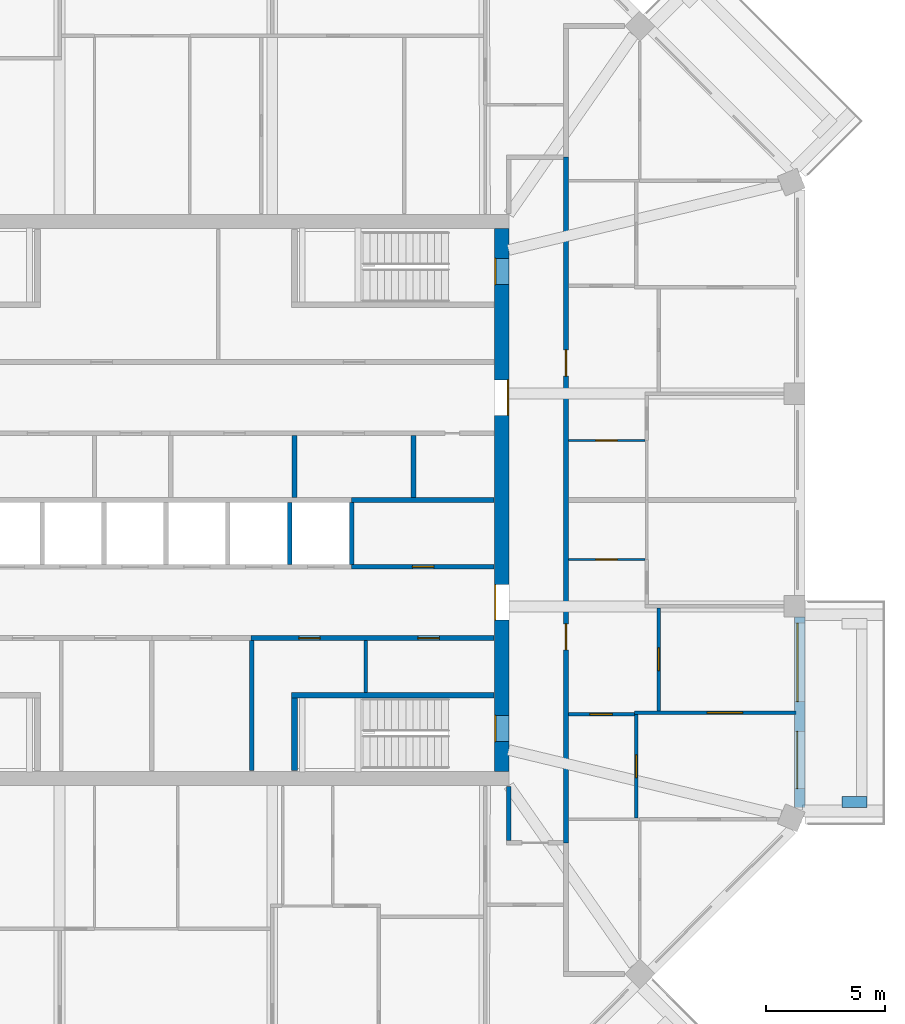
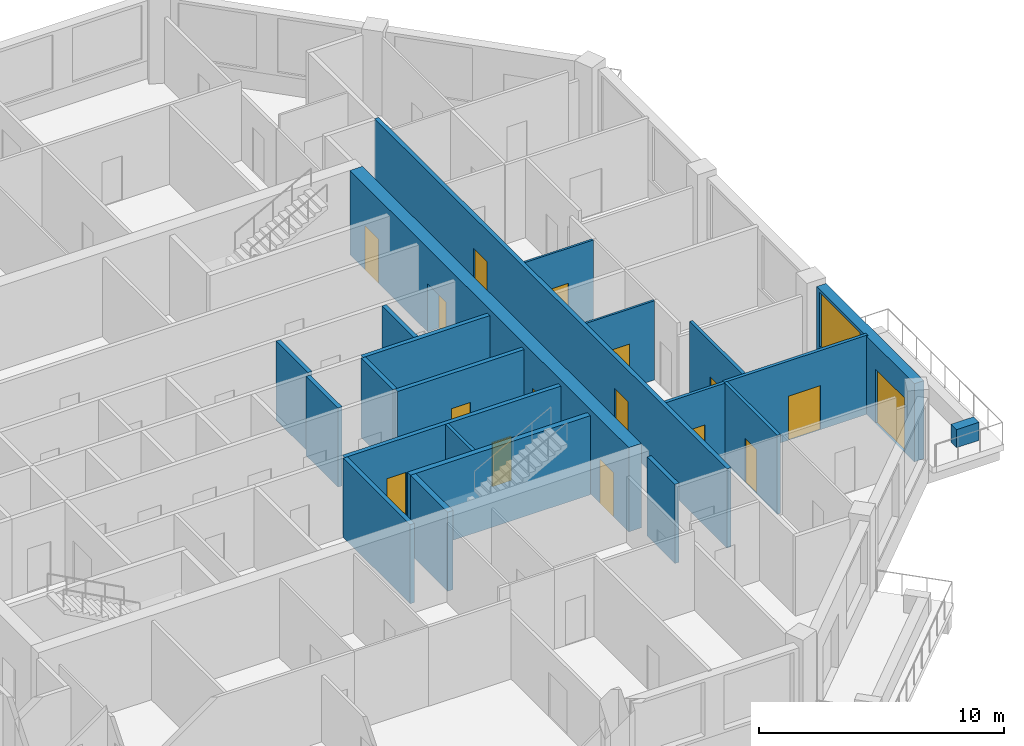
# One storey, part 6 of 11: 22 walls, 16 doors, 1 window, 17 openings.
"""IFC4 building model written with IfcOpenShell, lengths in metres."""

from ifc_helpers import new_model, si_unit, direction, frame, frame_2d, origin, place, context, subcontext, project, spatial, rectangle, extrude, material, layer, layer_set, type_object, element, fill, save


model = new_model("IFC4")

# Units and contexts
model_context = context("Model", 3, precision=1e-05, world=origin(), true_north=direction((0.0, 1.0)))
body_context = subcontext(model_context, "Body", "Model", "MODEL_VIEW")
ifc_project = project(units=[si_unit("LENGTHUNIT", "METRE"), si_unit("AREAUNIT", "SQUARE_METRE"), si_unit("VOLUMEUNIT", "CUBIC_METRE"), si_unit("PLANEANGLEUNIT", "RADIAN"), si_unit("MASSUNIT", "GRAM", prefix="KILO")], contexts=[model_context])

# Site, building, storey
site_placement = place(None, origin())
site = spatial("IfcSite", under=ifc_project, at=site_placement, CompositionType="ELEMENT")
building_placement = place(site_placement, origin())
building = spatial("IfcBuilding", under=site, at=building_placement, Name="Msitu Wima Residences", CompositionType="ELEMENT")
storey_placement = place(building_placement, frame((0.0, 0.0, 260.10009765625)))
storey = spatial("IfcBuildingStorey", under=building, at=storey_placement, Name="L60", CompositionType="ELEMENT", Elevation=260.10009765625)

# Wall
ifc_material_1 = material(Name="Facing brick")
ifc_layer_1 = layer(ifc_material_1, 0.06494140625, Name="Facing brick")
ifc_material_2 = material(Name="Concrete C40/50", Category="concrete")
ifc_layer_2 = layer(ifc_material_2, 0.156005859375, Name="Concrete C40/50")
ifc_material_3 = material(Name="Waterproofing membrane")
ifc_layer_3 = layer(ifc_material_3, 0.00390625, Name="Waterproofing membrane")
ifc_material_4 = material(Name="Planting soil and planting")
ifc_layer_4 = layer(ifc_material_4, 0.22509765625, Name="Planting soil and planting")
ifc_layer_set_1 = layer_set([ifc_layer_1, ifc_layer_2, ifc_layer_3, ifc_layer_4], Name="Concrete C40/50")
wall_type_1 = type_object("IfcWallType", Name="Balcony planter PLANTER PL450", PredefinedType="USERDEFINED", material=ifc_layer_set_1)
wall_1_placement = place(storey_placement, frame((28.39990234375, -12.680908203125, 0.0), z_axis=(0.0, 0.0, 1.0), x_axis=(1.0, 0.0, 0.0)))
element("IfcWall", 1, at=wall_1_placement, inside=storey, type_object=wall_type_1, Name="Balcony planter E0 L60", ObjectType="PLANTER", PredefinedType="USERDEFINED", context=body_context, shape_type="SweptSolid", body=[
    extrude(rectangle(XDim=1.050048828125, YDim=0.449951171875, at=frame_2d((0.52490234375, 0.0))), origin(), (0.0, 0.0, 1.0), 0.89990234375),
])

# Wall, openings, door, window
ifc_material_5 = material(Name="Brick (red buff mix)", Category="masonry")
ifc_layer_5 = layer(ifc_material_5, 0.449951171875)
ifc_layer_set_2 = layer_set([ifc_layer_5], Name="Brick (red buff mix)")
wall_type_2 = type_object("IfcWallType", Name="Brick infill wall BW450", PredefinedType="SOLIDWALL", material=ifc_layer_set_2)
wall_2_placement = place(storey_placement, frame((26.625, -12.918701171875, 0.0), z_axis=(0.0, 0.0, 1.0), x_axis=(0.0, 1.0, 0.0)))
wall_2 = element("IfcWall", 2, at=wall_2_placement, inside=storey, type_object=wall_type_2, Name="Brick infill wall L60 E0", PredefinedType="SOLIDWALL", context=body_context, shape_type="SweptSolid", body=[
    extrude(rectangle(XDim=8.0, YDim=0.449951171875, at=frame_2d((4.0, 0.0))), origin(), (0.0, 0.0, 1.0), 3.89990234375),
])
opening_1_placement = place(wall_2_placement, frame((0.800048828125, 0.0, 0.0)))
opening_1 = element("IfcOpeningElement", 3, at=opening_1_placement, cuts=wall_2, Name="Opening D60-62.001", PredefinedType="OPENING", context=body_context, shape_type="SweptSolid", body=[
    extrude(rectangle(XDim=2.39990234375, YDim=2.699951171875, at=frame_2d((1.199951171875, 1.35009765625))), frame((0.0, 0.23486328125, 0.0), z_axis=(0.0, -1.0, 0.0), x_axis=(1.0, 0.0, 0.0)), (0.0, 0.0, 1.0), 0.469970703125),
])
opening_2_placement = place(wall_2_placement, frame((4.4501953125, 0.0, 1.050048828125)))
opening_2 = element("IfcOpeningElement", 4, at=opening_2_placement, cuts=wall_2, Name="Opening W60-62.001", PredefinedType="OPENING", context=body_context, shape_type="SweptSolid", body=[
    extrude(rectangle(XDim=3.300048828125, YDim=2.699951171875, at=frame_2d((1.64990234375, 1.35009765625))), frame((0.0, 0.23486328125, 0.0), z_axis=(0.0, -1.0, 0.0), x_axis=(1.0, 0.0, 0.0)), (0.0, 0.0, 1.0), 0.469970703125),
])
ifc_material_6 = material(Name="Anodised aluminium, bronze finish, clear low-emissivity double glazing", Category="aluminium")
door_type_1 = type_object("IfcDoorType", Name="Balcony door D2400x2700", OperationType="SLIDING_TO_LEFT", PredefinedType="DOOR", material=ifc_material_6)
door_1_placement = place(opening_1_placement, origin())
door_1 = element("IfcDoor", 5, at=door_1_placement, inside=storey, type_object=door_type_1, Name="Balcony door L60 E0", OperationType="SINGLE_SWING_LEFT", OverallHeight=2.699951171875, OverallWidth=2.39990234375, PredefinedType="DOOR", context=body_context, shape_type="SweptSolid", body=[
    extrude(rectangle(XDim=2.39990234375, YDim=2.699951171875, at=frame_2d((1.199951171875, 1.35009765625))), frame((0.0, 0.1298828125, 0.0), z_axis=(0.0, -1.0, 0.0), x_axis=(1.0, 0.0, 0.0)), (0.0, 0.0, 1.0), 0.050048828125),
])
fill(opening_1, door_1)
window_type = type_object("IfcWindowType", Name="Window W3300x2700", PartitioningType="DOUBLE_PANEL_VERTICAL", PredefinedType="WINDOW", material=ifc_material_6)
window_placement = place(opening_2_placement, origin())
window = element("IfcWindow", 6, at=window_placement, inside=storey, type_object=window_type, Name="Window L60 E0.2", OverallHeight=2.699951171875, OverallWidth=3.300048828125, PartitioningType="SINGLE_PANEL", PredefinedType="WINDOW", context=body_context, shape_type="SweptSolid", body=[
    extrude(rectangle(XDim=3.300048828125, YDim=2.699951171875, at=frame_2d((1.64990234375, 1.35009765625))), frame((0.0, 0.135009765625, 0.0), z_axis=(0.0, -1.0, 0.0), x_axis=(1.0, 0.0, 0.0)), (0.0, 0.0, 1.0), 0.06005859375),
])
fill(opening_2, window)

# Wall, openings, doors
ifc_material_7 = material(Name="Concrete C50/60", Category="concrete")
ifc_layer_6 = layer(ifc_material_7, 0.60009765625)
ifc_layer_set_3 = layer_set([ifc_layer_6], Name="Concrete C50/60")
wall_type_3 = type_object("IfcWallType", Name="Core wall CW600 C50/60", PredefinedType="SHEAR", material=ifc_layer_set_3)
wall_3_placement = place(storey_placement, frame((14.10009765625, -11.39990234375, 0.0), z_axis=(0.0, 0.0, 1.0), x_axis=(0.0, 1.0, 0.0)))
wall_3 = element("IfcWall", 7, at=wall_3_placement, inside=storey, type_object=wall_type_3, Name="Core wall", PredefinedType="SHEAR", context=body_context, shape_type="SweptSolid", body=[
    extrude(rectangle(XDim=22.7998046875, YDim=0.60009765625, at=frame_2d((11.39990234375, 0.0))), origin(), (0.0, 0.0, 1.0), 4.199951171875),
])
opening_3_placement = place(wall_3_placement, frame((20.449951171875, 0.0, 0.0)))
opening_3 = element("IfcOpeningElement", 8, at=opening_3_placement, cuts=wall_3, Name="Opening D60-62.089", PredefinedType="OPENING", context=body_context, shape_type="SweptSolid", body=[
    extrude(rectangle(XDim=1.10009765625, YDim=2.199951171875, at=frame_2d((0.550048828125, 1.10009765625))), frame((0.0, 0.31005859375, 0.0), z_axis=(0.0, -1.0, 0.0), x_axis=(1.0, 0.0, 0.0)), (0.0, 0.0, 1.0), 0.6201171875),
])
opening_4_placement = place(wall_3_placement, frame((1.25, 0.0, 0.0)))
opening_4 = element("IfcOpeningElement", 9, at=opening_4_placement, cuts=wall_3, Name="Opening D60-62.090", PredefinedType="OPENING", context=body_context, shape_type="SweptSolid", body=[
    extrude(rectangle(XDim=1.10009765625, YDim=2.199951171875, at=frame_2d((0.550048828125, 1.10009765625))), frame((0.0, 0.31005859375, 0.0), z_axis=(0.0, -1.0, 0.0), x_axis=(1.0, 0.0, 0.0)), (0.0, 0.0, 1.0), 0.6201171875),
])
opening_5_placement = place(wall_3_placement, frame((14.949951171875, 0.0, 0.0)))
opening_5 = element("IfcOpeningElement", 10, at=opening_5_placement, cuts=wall_3, Name="Opening D60-62.077", PredefinedType="OPENING", context=body_context, shape_type="SweptSolid", body=[
    extrude(rectangle(XDim=1.5, YDim=2.39990234375, at=frame_2d((0.75, 1.199951171875))), frame((0.0, 0.31005859375, 0.0), z_axis=(0.0, -1.0, 0.0), x_axis=(1.0, 0.0, 0.0)), (0.0, 0.0, 1.0), 0.6201171875),
])
opening_6_placement = place(wall_3_placement, frame((6.35009765625, 0.0, 0.0)))
opening_6 = element("IfcOpeningElement", 11, at=opening_6_placement, cuts=wall_3, Name="Opening D60-62.078", PredefinedType="OPENING", context=body_context, shape_type="SweptSolid", body=[
    extrude(rectangle(XDim=1.5, YDim=2.39990234375, at=frame_2d((0.75, 1.199951171875))), frame((0.0, 0.31005859375, 0.0), z_axis=(0.0, -1.0, 0.0), x_axis=(1.0, 0.0, 0.0)), (0.0, 0.0, 1.0), 0.6201171875),
])
ifc_material_8 = material(Name="Steel framed glazed door, fire resisting", Category="steel")
door_type_2 = type_object("IfcDoorType", Name="Lobby door D07 1500x2400", OperationType="DOUBLE_DOOR_SINGLE_SWING", PredefinedType="DOOR", material=ifc_material_8)
door_2_placement = place(opening_5_placement, origin())
door_2 = element("IfcDoor", 12, at=door_2_placement, inside=storey, type_object=door_type_2, Name="Lobby door", OperationType="DOUBLE_DOOR_SINGLE_SWING", OverallHeight=2.39990234375, OverallWidth=1.5, PredefinedType="DOOR", context=body_context, shape_type="SweptSolid", body=[
    extrude(rectangle(XDim=1.5, YDim=2.39990234375, at=frame_2d((0.75, 1.199951171875))), frame((0.0, -0.2451171875, 0.0), z_axis=(0.0, -1.0, 0.0), x_axis=(1.0, 0.0, 0.0)), (0.0, 0.0, 1.0), 0.050048828125),
])
fill(opening_5, door_2)
door_3_placement = place(opening_6_placement, origin())
door_3 = element("IfcDoor", 13, at=door_3_placement, inside=storey, type_object=door_type_2, Name="Lobby door", OperationType="DOUBLE_DOOR_SINGLE_SWING", OverallHeight=2.39990234375, OverallWidth=1.5, PredefinedType="DOOR", context=body_context, shape_type="SweptSolid", body=[
    extrude(rectangle(XDim=1.5, YDim=2.39990234375, at=frame_2d((0.75, 1.199951171875))), frame((0.0, 0.294921875, 0.0), z_axis=(0.0, -1.0, 0.0), x_axis=(1.0, 0.0, 0.0)), (0.0, 0.0, 1.0), 0.050048828125),
])
fill(opening_6, door_3)
ifc_material_9 = material(Name="Steel door, fire resisting, panic bar", Category="steel")
door_type_3 = type_object("IfcDoorType", Name="Stair door D06 1100x2200", OperationType="SINGLE_SWING_LEFT", PredefinedType="DOOR", material=ifc_material_9)
door_4_placement = place(opening_3_placement, origin())
door_4 = element("IfcDoor", 14, at=door_4_placement, inside=storey, type_object=door_type_3, Name="Stair door", OperationType="SINGLE_SWING_LEFT", OverallHeight=2.199951171875, OverallWidth=1.10009765625, PredefinedType="DOOR", context=body_context, shape_type="SweptSolid", body=[
    extrude(rectangle(XDim=1.10009765625, YDim=2.199951171875, at=frame_2d((0.550048828125, 1.10009765625))), frame((0.0, 0.294921875, 0.0), z_axis=(0.0, -1.0, 0.0), x_axis=(1.0, 0.0, 0.0)), (0.0, 0.0, 1.0), 0.050048828125),
])
fill(opening_3, door_4)
door_5_placement = place(opening_4_placement, origin())
door_5 = element("IfcDoor", 15, at=door_5_placement, inside=storey, type_object=door_type_3, Name="Stair door", OperationType="SINGLE_SWING_RIGHT", OverallHeight=2.199951171875, OverallWidth=1.10009765625, PredefinedType="DOOR", context=body_context, shape_type="SweptSolid", body=[
    extrude(rectangle(XDim=1.10009765625, YDim=2.199951171875, at=frame_2d((0.550048828125, 1.10009765625))), frame((0.0, 0.294921875, 0.0), z_axis=(0.0, -1.0, 0.0), x_axis=(1.0, 0.0, 0.0)), (0.0, 0.0, 1.0), 0.050048828125),
])
fill(opening_4, door_5)

ifc_material_10 = material(Name="Plaster")
ifc_layer_7 = layer(ifc_material_10, 0.011962890625, Name="Plaster")
ifc_material_11 = material(Name="Concrete blockwork", Category="masonry")
ifc_layer_8 = layer(ifc_material_11, 0.176025390625, Name="Concrete blockwork")
ifc_layer_9 = layer(ifc_material_10, 0.011962890625, Name="Plaster")
ifc_layer_set_4 = layer_set([ifc_layer_7, ifc_layer_8, ifc_layer_9], Name="Concrete blockwork")
wall_type_4 = type_object("IfcWallType", Name="Corridor wall FW200", PredefinedType="PARTITIONING", material=ifc_layer_set_4)
wall_4_placement = place(storey_placement, frame((3.580078125, -5.800048828125, 0.0), z_axis=(0.0, 0.0, 1.0), x_axis=(1.0, 0.0, 0.0)))
wall_4 = element("IfcWall", 16, at=wall_4_placement, inside=storey, type_object=wall_type_4, Name="Corridor wall", PredefinedType="PARTITIONING", context=body_context, shape_type="SweptSolid", body=[
    extrude(rectangle(XDim=10.18994140625, YDim=0.199951171875, at=frame_2d((5.094970703125, 0.0))), origin(), (0.0, 0.0, 1.0), 3.949951171875),
])
opening_7_placement = place(wall_4_placement, frame((2.0, 0.0, 0.0)))
opening_7 = element("IfcOpeningElement", 17, at=opening_7_placement, cuts=wall_4, Name="Opening D60-62.075", PredefinedType="OPENING", context=body_context, shape_type="SweptSolid", body=[
    extrude(rectangle(XDim=0.89990234375, YDim=2.199951171875, at=frame_2d((0.449951171875, 1.10009765625))), frame((0.0, 0.10986328125, 0.0), z_axis=(0.0, -1.0, 0.0), x_axis=(1.0, 0.0, 0.0)), (0.0, 0.0, 1.0), 0.219970703125),
])
opening_8_placement = place(wall_4_placement, frame((7.0, 0.0, 0.0)))
opening_8 = element("IfcOpeningElement", 18, at=opening_8_placement, cuts=wall_4, Name="Opening D60-62.076", PredefinedType="OPENING", context=body_context, shape_type="SweptSolid", body=[
    extrude(rectangle(XDim=0.89990234375, YDim=2.199951171875, at=frame_2d((0.449951171875, 1.10009765625))), frame((0.0, 0.10986328125, 0.0), z_axis=(0.0, -1.0, 0.0), x_axis=(1.0, 0.0, 0.0)), (0.0, 0.0, 1.0), 0.219970703125),
])
ifc_material_12 = material(Name="Timber flush door", Category="wood")
door_type_4 = type_object("IfcDoorType", Name="Service door D05 900x2200", OperationType="SINGLE_SWING_LEFT", PredefinedType="DOOR", material=ifc_material_12)
door_6_placement = place(opening_7_placement, origin())
door_6 = element("IfcDoor", 19, at=door_6_placement, inside=storey, type_object=door_type_4, Name="Service door", OperationType="SINGLE_SWING_LEFT", OverallHeight=2.199951171875, OverallWidth=0.89990234375, PredefinedType="DOOR", context=body_context, shape_type="SweptSolid", body=[
    extrude(rectangle(XDim=0.89990234375, YDim=2.199951171875, at=frame_2d((0.449951171875, 1.10009765625))), frame((0.0, 0.02490234375, 0.0), z_axis=(0.0, -1.0, 0.0), x_axis=(1.0, 0.0, 0.0)), (0.0, 0.0, 1.0), 0.050048828125),
])
fill(opening_7, door_6)
door_7_placement = place(opening_8_placement, origin())
door_7 = element("IfcDoor", 20, at=door_7_placement, inside=storey, type_object=door_type_4, Name="Service door", OperationType="SINGLE_SWING_RIGHT", OverallHeight=2.199951171875, OverallWidth=0.89990234375, PredefinedType="DOOR", context=body_context, shape_type="SweptSolid", body=[
    extrude(rectangle(XDim=0.89990234375, YDim=2.199951171875, at=frame_2d((0.449951171875, 1.10009765625))), frame((0.0, 0.02490234375, 0.0), z_axis=(0.0, -1.0, 0.0), x_axis=(1.0, 0.0, 0.0)), (0.0, 0.0, 1.0), 0.050048828125),
])
fill(opening_8, door_7)

# Wall
wall_5_placement = place(storey_placement, frame((14.39990234375, -14.300048828125, 0.0), z_axis=(0.0, 0.0, 1.0), x_axis=(0.0, 1.0, 0.0)))
element("IfcWall", 21, at=wall_5_placement, inside=storey, type_object=wall_type_4, Name="Corridor wall", PredefinedType="PARTITIONING", context=body_context, shape_type="SweptSolid", body=[
    extrude(rectangle(XDim=2.27001953125, YDim=0.199951171875, at=frame_2d((1.135009765625, 0.0))), origin(), (0.0, 0.0, 1.0), 3.949951171875),
])

# Wall, openings, doors
wall_6_placement = place(storey_placement, frame((16.800048828125, -14.39990234375, 0.0), z_axis=(0.0, 0.0, 1.0), x_axis=(0.0, 1.0, 0.0)))
wall_6 = element("IfcWall", 22, at=wall_6_placement, inside=storey, type_object=wall_type_4, Name="Corridor wall", PredefinedType="PARTITIONING", context=body_context, shape_type="SweptSolid", body=[
    extrude(rectangle(XDim=28.7998046875, YDim=0.199951171875, at=frame_2d((14.39990234375, 0.0))), origin(), (0.0, 0.0, 1.0), 3.949951171875),
])
opening_9_placement = place(wall_6_placement, frame((8.10009765625, 0.0, 0.0)))
opening_9 = element("IfcOpeningElement", 23, at=opening_9_placement, cuts=wall_6, Name="Opening D60-62.008", PredefinedType="OPENING", context=body_context, shape_type="SweptSolid", body=[
    extrude(rectangle(XDim=1.10009765625, YDim=2.39990234375, at=frame_2d((0.550048828125, 1.199951171875))), frame((0.0, 0.10986328125, 0.0), z_axis=(0.0, -1.0, 0.0), x_axis=(1.0, 0.0, 0.0)), (0.0, 0.0, 1.0), 0.219970703125),
])
opening_10_placement = place(wall_6_placement, frame((19.60009765625, 0.0, 0.0)))
opening_10 = element("IfcOpeningElement", 24, at=opening_10_placement, cuts=wall_6, Name="Opening D60-62.017", PredefinedType="OPENING", context=body_context, shape_type="SweptSolid", body=[
    extrude(rectangle(XDim=1.10009765625, YDim=2.39990234375, at=frame_2d((0.550048828125, 1.199951171875))), frame((0.0, 0.10986328125, 0.0), z_axis=(0.0, -1.0, 0.0), x_axis=(1.0, 0.0, 0.0)), (0.0, 0.0, 1.0), 0.219970703125),
])
ifc_material_13 = material(Name="Timber flush door, fire resisting, self-closing", Category="wood")
door_type_5 = type_object("IfcDoorType", Name="Flat entrance door D01 1100x2400", OperationType="SINGLE_SWING_LEFT", PredefinedType="DOOR", material=ifc_material_13)
door_8_placement = place(opening_9_placement, origin())
door_8 = element("IfcDoor", 25, at=door_8_placement, inside=storey, type_object=door_type_5, Name="Flat entrance door", OperationType="SINGLE_SWING_RIGHT", OverallHeight=2.39990234375, OverallWidth=1.10009765625, PredefinedType="DOOR", context=body_context, shape_type="SweptSolid", body=[
    extrude(rectangle(XDim=1.10009765625, YDim=2.39990234375, at=frame_2d((0.550048828125, 1.199951171875))), frame((0.0, 0.02490234375, 0.0), z_axis=(0.0, -1.0, 0.0), x_axis=(1.0, 0.0, 0.0)), (0.0, 0.0, 1.0), 0.050048828125),
])
fill(opening_9, door_8)
door_9_placement = place(opening_10_placement, origin())
door_9 = element("IfcDoor", 26, at=door_9_placement, inside=storey, type_object=door_type_5, Name="Flat entrance door", OperationType="SINGLE_SWING_LEFT", OverallHeight=2.39990234375, OverallWidth=1.10009765625, PredefinedType="DOOR", context=body_context, shape_type="SweptSolid", body=[
    extrude(rectangle(XDim=1.10009765625, YDim=2.39990234375, at=frame_2d((0.550048828125, 1.199951171875))), frame((0.0, 0.02490234375, 0.0), z_axis=(0.0, -1.0, 0.0), x_axis=(1.0, 0.0, 0.0)), (0.0, 0.0, 1.0), 0.050048828125),
])
fill(opening_10, door_9)

# Wall
ifc_layer_10 = layer(ifc_material_10, 0.011962890625, Name="Plaster")
ifc_layer_11 = layer(ifc_material_11, 0.1259765625, Name="Concrete blockwork")
ifc_layer_12 = layer(ifc_material_10, 0.011962890625, Name="Plaster")
ifc_layer_set_5 = layer_set([ifc_layer_10, ifc_layer_11, ifc_layer_12], Name="Concrete blockwork")
wall_type_5 = type_object("IfcWallType", Name="Partition PW150", PredefinedType="PARTITIONING", material=ifc_layer_set_5)
wall_7_placement = place(storey_placement, frame((8.39990234375, -8.074951171875, 0.0), z_axis=(0.0, 0.0, 1.0), x_axis=(0.0, 1.0, 0.0)))
element("IfcWall", 27, at=wall_7_placement, inside=storey, type_object=wall_type_5, Name="Partition", PredefinedType="PARTITIONING", context=body_context, shape_type="SweptSolid", body=[
    extrude(rectangle(XDim=2.175048828125, YDim=0.14990234375, at=frame_2d((1.08740234375, 0.0))), origin(), (0.0, 0.0, 1.0), 3.949951171875),
])

# Wall, opening, door
wall_8_placement = place(storey_placement, frame((16.89990234375, -9.0, 0.0), z_axis=(0.0, 0.0, 1.0), x_axis=(1.0, 0.0, 0.0)))
wall_8 = element("IfcWall", 28, at=wall_8_placement, inside=storey, type_object=wall_type_5, Name="Partition", PredefinedType="PARTITIONING", context=body_context, shape_type="SweptSolid", body=[
    extrude(rectangle(XDim=2.775146484375, YDim=0.14990234375, at=frame_2d((1.3876953125, 0.0))), origin(), (0.0, 0.0, 1.0), 3.949951171875),
])
opening_11_placement = place(wall_8_placement, frame((0.89990234375, 0.0, 0.0)))
opening_11 = element("IfcOpeningElement", 29, at=opening_11_placement, cuts=wall_8, Name="Opening D60-62.010", PredefinedType="OPENING", context=body_context, shape_type="SweptSolid", body=[
    extrude(rectangle(XDim=0.949951171875, YDim=2.199951171875, at=frame_2d((0.47509765625, 1.10009765625))), frame((0.0, 0.0849609375, 0.0), z_axis=(0.0, -1.0, 0.0), x_axis=(1.0, 0.0, 0.0)), (0.0, 0.0, 1.0), 0.169921875),
])
door_type_6 = type_object("IfcDoorType", Name="Room door D12 950x2200", OperationType="SINGLE_SWING_LEFT", PredefinedType="DOOR", material=ifc_material_12)
door_10_placement = place(opening_11_placement, origin())
door_10 = element("IfcDoor", 30, at=door_10_placement, inside=storey, type_object=door_type_6, Name="Room door", OperationType="SINGLE_SWING_RIGHT", OverallHeight=2.199951171875, OverallWidth=0.949951171875, PredefinedType="DOOR", context=body_context, shape_type="SweptSolid", body=[
    extrude(rectangle(XDim=0.949951171875, YDim=2.199951171875, at=frame_2d((0.47509765625, 1.10009765625))), frame((0.0, 0.02490234375, 0.0), z_axis=(0.0, -1.0, 0.0), x_axis=(1.0, 0.0, 0.0)), (0.0, 0.0, 1.0), 0.050048828125),
])
fill(opening_11, door_10)

wall_9_placement = place(storey_placement, frame((19.75, -13.35595703125, 0.0), z_axis=(0.0, 0.0, 1.0), x_axis=(0.0, 1.0, 0.0)))
wall_9 = element("IfcWall", 31, at=wall_9_placement, inside=storey, type_object=wall_type_5, Name="Partition", PredefinedType="PARTITIONING", context=body_context, shape_type="SweptSolid", body=[
    extrude(rectangle(XDim=4.34375, YDim=0.14990234375, at=frame_2d((2.171875, 0.0))), origin(), (0.0, 0.0, 1.0), 3.949951171875),
])
opening_12_placement = place(wall_9_placement, frame((1.699951171875, 0.0, 0.0)))
opening_12 = element("IfcOpeningElement", 32, at=opening_12_placement, cuts=wall_9, Name="Opening D60-62.016", PredefinedType="OPENING", context=body_context, shape_type="SweptSolid", body=[
    extrude(rectangle(XDim=0.949951171875, YDim=2.199951171875, at=frame_2d((0.47509765625, 1.10009765625))), frame((0.0, 0.0849609375, 0.0), z_axis=(0.0, -1.0, 0.0), x_axis=(1.0, 0.0, 0.0)), (0.0, 0.0, 1.0), 0.169921875),
])
door_11_placement = place(opening_12_placement, origin())
door_11 = element("IfcDoor", 33, at=door_11_placement, inside=storey, type_object=door_type_6, Name="Room door", OperationType="SINGLE_SWING_RIGHT", OverallHeight=2.199951171875, OverallWidth=0.949951171875, PredefinedType="DOOR", context=body_context, shape_type="SweptSolid", body=[
    extrude(rectangle(XDim=0.949951171875, YDim=2.199951171875, at=frame_2d((0.47509765625, 1.10009765625))), frame((0.0, 0.02490234375, 0.0), z_axis=(0.0, -1.0, 0.0), x_axis=(1.0, 0.0, 0.0)), (0.0, 0.0, 1.0), 0.050048828125),
])
fill(opening_12, door_11)

wall_10_placement = place(storey_placement, frame((19.675048828125, -8.937255859375, 0.0), z_axis=(0.0, 0.0, 1.0), x_axis=(1.0, 0.0, 0.0)))
wall_10 = element("IfcWall", 34, at=wall_10_placement, inside=storey, type_object=wall_type_5, Name="Partition", PredefinedType="PARTITIONING", context=body_context, shape_type="SweptSolid", body=[
    extrude(rectangle(XDim=6.780029296875, YDim=0.14990234375, at=frame_2d((3.39013671875, 0.0))), origin(), (0.0, 0.0, 1.0), 3.949951171875),
])
opening_13_placement = place(wall_10_placement, frame((3.050048828125, 0.0, 0.0)))
opening_13 = element("IfcOpeningElement", 35, at=opening_13_placement, cuts=wall_10, Name="Opening D60-62.013", PredefinedType="OPENING", context=body_context, shape_type="SweptSolid", body=[
    extrude(rectangle(XDim=1.5, YDim=2.199951171875, at=frame_2d((0.75, 1.10009765625))), frame((0.0, 0.0849609375, 0.0), z_axis=(0.0, -1.0, 0.0), x_axis=(1.0, 0.0, 0.0)), (0.0, 0.0, 1.0), 0.169921875),
])
ifc_material_14 = material(Name="Timber double door", Category="wood")
door_type_7 = type_object("IfcDoorType", Name="Double door D04 1500x2200", OperationType="DOUBLE_DOOR_SINGLE_SWING", PredefinedType="DOOR", material=ifc_material_14)
door_12_placement = place(opening_13_placement, origin())
door_12 = element("IfcDoor", 36, at=door_12_placement, inside=storey, type_object=door_type_7, Name="Double door", OperationType="DOUBLE_DOOR_SINGLE_SWING", OverallHeight=2.199951171875, OverallWidth=1.5, PredefinedType="DOOR", context=body_context, shape_type="SweptSolid", body=[
    extrude(rectangle(XDim=1.5, YDim=2.199951171875, at=frame_2d((0.75, 1.10009765625))), frame((0.0, 0.02490234375, 0.0), z_axis=(0.0, -1.0, 0.0), x_axis=(1.0, 0.0, 0.0)), (0.0, 0.0, 1.0), 0.050048828125),
])
fill(opening_13, door_12)

wall_11_placement = place(storey_placement, frame((20.699951171875, -8.8623046875, 0.0), z_axis=(0.0, 0.0, 1.0), x_axis=(0.0, 1.0, 0.0)))
wall_11 = element("IfcWall", 37, at=wall_11_placement, inside=storey, type_object=wall_type_5, Name="Partition", PredefinedType="PARTITIONING", context=body_context, shape_type="SweptSolid", body=[
    extrude(rectangle(XDim=4.318603515625, YDim=0.14990234375, at=frame_2d((2.1591796875, 0.0))), origin(), (0.0, 0.0, 1.0), 3.949951171875),
])
opening_14_placement = place(wall_11_placement, frame((1.699951171875, 0.0, 0.0)))
opening_14 = element("IfcOpeningElement", 38, at=opening_14_placement, cuts=wall_11, Name="Opening D60-62.012", PredefinedType="OPENING", context=body_context, shape_type="SweptSolid", body=[
    extrude(rectangle(XDim=0.949951171875, YDim=2.199951171875, at=frame_2d((0.47509765625, 1.10009765625))), frame((0.0, 0.0849609375, 0.0), z_axis=(0.0, -1.0, 0.0), x_axis=(1.0, 0.0, 0.0)), (0.0, 0.0, 1.0), 0.169921875),
])
door_13_placement = place(opening_14_placement, origin())
door_13 = element("IfcDoor", 39, at=door_13_placement, inside=storey, type_object=door_type_6, Name="Room door", OperationType="SINGLE_SWING_LEFT", OverallHeight=2.199951171875, OverallWidth=0.949951171875, PredefinedType="DOOR", context=body_context, shape_type="SweptSolid", body=[
    extrude(rectangle(XDim=0.949951171875, YDim=2.199951171875, at=frame_2d((0.47509765625, 1.10009765625))), frame((0.0, 0.02490234375, 0.0), z_axis=(0.0, -1.0, 0.0), x_axis=(1.0, 0.0, 0.0)), (0.0, 0.0, 1.0), 0.050048828125),
])
fill(opening_14, door_13)

# Walls
ifc_layer_13 = layer(ifc_material_10, 0.011962890625, Name="Plaster")
ifc_material_15 = material(Name="Reinforced concrete blockwork", Category="masonry")
ifc_layer_14 = layer(ifc_material_15, 0.176025390625, Name="Reinforced concrete blockwork")
ifc_layer_15 = layer(ifc_material_10, 0.011962890625, Name="Plaster")
ifc_layer_set_6 = layer_set([ifc_layer_13, ifc_layer_14, ifc_layer_15], Name="Reinforced concrete blockwork")
wall_type_6 = type_object("IfcWallType", Name="Plant and riser wall PL200", PredefinedType="PARTITIONING", material=ifc_layer_set_6)
wall_12_placement = place(storey_placement, frame((3.60009765625, -11.3701171875, 0.0), z_axis=(0.0, 0.0, 1.0), x_axis=(0.0, 1.0, 0.0)))
element("IfcWall", 40, at=wall_12_placement, inside=storey, type_object=wall_type_6, Name="Plant and riser wall", PredefinedType="PARTITIONING", context=body_context, shape_type="SweptSolid", body=[
    extrude(rectangle(XDim=5.47021484375, YDim=0.199951171875, at=frame_2d((2.735107421875, 0.0))), origin(), (0.0, 0.0, 1.0), 3.949951171875),
])
wall_13_placement = place(storey_placement, frame((5.39990234375, 0.10009765625, 0.0), z_axis=(0.0, 0.0, 1.0), x_axis=(0.0, 1.0, 0.0)))
element("IfcWall", 41, at=wall_13_placement, inside=storey, type_object=wall_type_6, Name="Plant and riser wall", PredefinedType="PARTITIONING", context=body_context, shape_type="SweptSolid", body=[
    extrude(rectangle(XDim=2.599853515625, YDim=0.199951171875, at=frame_2d((1.2998046875, 0.0))), origin(), (0.0, 0.0, 1.0), 3.949951171875),
])

# Wall, opening, door
wall_14_placement = place(storey_placement, frame((7.800048828125, -2.800048828125, 0.0), z_axis=(0.0, 0.0, 1.0), x_axis=(1.0, 0.0, 0.0)))
wall_14 = element("IfcWall", 42, at=wall_14_placement, inside=storey, type_object=wall_type_6, Name="Plant and riser wall", PredefinedType="PARTITIONING", context=body_context, shape_type="SweptSolid", body=[
    extrude(rectangle(XDim=5.969970703125, YDim=0.199951171875, at=frame_2d((2.98486328125, 0.0))), origin(), (0.0, 0.0, 1.0), 3.949951171875),
])
opening_15_placement = place(wall_14_placement, frame((2.550048828125, 0.0, 0.0)))
opening_15 = element("IfcOpeningElement", 43, at=opening_15_placement, cuts=wall_14, Name="Opening D60-62.065", PredefinedType="OPENING", context=body_context, shape_type="SweptSolid", body=[
    extrude(rectangle(XDim=0.89990234375, YDim=2.199951171875, at=frame_2d((0.449951171875, 1.10009765625))), frame((0.0, 0.10986328125, 0.0), z_axis=(0.0, -1.0, 0.0), x_axis=(1.0, 0.0, 0.0)), (0.0, 0.0, 1.0), 0.219970703125),
])
door_14_placement = place(opening_15_placement, origin())
door_14 = element("IfcDoor", 44, at=door_14_placement, inside=storey, type_object=door_type_4, Name="Service door", OperationType="SINGLE_SWING_LEFT", OverallHeight=2.199951171875, OverallWidth=0.89990234375, PredefinedType="DOOR", context=body_context, shape_type="SweptSolid", body=[
    extrude(rectangle(XDim=0.89990234375, YDim=2.199951171875, at=frame_2d((0.449951171875, 1.10009765625))), frame((0.0, 0.02490234375, 0.0), z_axis=(0.0, -1.0, 0.0), x_axis=(1.0, 0.0, 0.0)), (0.0, 0.0, 1.0), 0.050048828125),
])
fill(opening_15, door_14)

# Walls
wall_15_placement = place(storey_placement, frame((7.800048828125, 0.0, 0.0), z_axis=(0.0, 0.0, 1.0), x_axis=(1.0, 0.0, 0.0)))
element("IfcWall", 45, at=wall_15_placement, inside=storey, type_object=wall_type_6, Name="Plant and riser wall", PredefinedType="PARTITIONING", context=body_context, shape_type="SweptSolid", body=[
    extrude(rectangle(XDim=5.969970703125, YDim=0.199951171875, at=frame_2d((2.98486328125, 0.0))), origin(), (0.0, 0.0, 1.0), 3.949951171875),
])
wall_16_placement = place(storey_placement, frame((10.39990234375, 0.10009765625, 0.0), z_axis=(0.0, 0.0, 1.0), x_axis=(0.0, 1.0, 0.0)))
element("IfcWall", 46, at=wall_16_placement, inside=storey, type_object=wall_type_6, Name="Plant and riser wall", PredefinedType="PARTITIONING", context=body_context, shape_type="SweptSolid", body=[
    extrude(rectangle(XDim=2.599853515625, YDim=0.199951171875, at=frame_2d((1.2998046875, 0.0))), origin(), (0.0, 0.0, 1.0), 3.949951171875),
])
ifc_material_16 = material(Name="Fire-rated board")
ifc_layer_16 = layer(ifc_material_16, 0.02490234375, Name="Fire-rated board")
ifc_material_17 = material(Name="Light-gauge stud framing with mineral wool")
ifc_layer_17 = layer(ifc_material_17, 0.14990234375, Name="Light-gauge stud framing with mineral wool")
ifc_layer_18 = layer(ifc_material_16, 0.02490234375, Name="Fire-rated board")
ifc_layer_set_7 = layer_set([ifc_layer_16, ifc_layer_17, ifc_layer_18], Name="Light-gauge stud framing with mineral wool")
wall_type_7 = type_object("IfcWallType", Name="Shaft wall SH200", PredefinedType="PARTITIONING", material=ifc_layer_set_7)
for number, where, z_axis, x_axis, name in (
    (47, (5.199951171875, -2.699951171875, 0.0), (0.0, 0.0, 1.0), (0.0, 1.0, 0.0), "Shaft wall"),
    (48, (7.800048828125, -2.699951171875, 0.0), (0.0, 0.0, 1.0), (0.0, 1.0, 0.0), "Shaft wall"),
):
    element("IfcWall", number, at=place(storey_placement, frame(where, z_axis=z_axis, x_axis=x_axis)), inside=storey, type_object=wall_type_7, Name=name, PredefinedType="PARTITIONING", context=body_context, shape_type="SweptSolid", body=[
        extrude(rectangle(XDim=2.599853515625, YDim=0.199951171875, at=frame_2d((1.2998046875, 0.0))), origin(), (0.0, 0.0, 1.0), 3.949951171875),
    ])
ifc_layer_19 = layer(ifc_material_7, 0.25)
ifc_layer_set_8 = layer_set([ifc_layer_19], Name="Concrete C50/60")
wall_type_8 = type_object("IfcWallType", Name="Stair enclosure wall SW250", PredefinedType="SHEAR", material=ifc_layer_set_8)
wall_17_placement = place(storey_placement, frame((5.39990234375, -11.3701171875, 0.0), z_axis=(0.0, 0.0, 1.0), x_axis=(0.0, 1.0, 0.0)))
element("IfcWall", 49, at=wall_17_placement, inside=storey, type_object=wall_type_8, Name="Stair enclosure wall", PredefinedType="SHEAR", context=body_context, shape_type="SweptSolid", body=[
    extrude(rectangle(XDim=3.045166015625, YDim=0.25, at=frame_2d((1.5224609375, 0.0))), origin(), (0.0, 0.0, 1.0), 3.949951171875),
])
wall_18_placement = place(storey_placement, frame((5.27490234375, -8.199951171875, 0.0), z_axis=(0.0, 0.0, 1.0), x_axis=(1.0, 0.0, 0.0)))
element("IfcWall", 50, at=wall_18_placement, inside=storey, type_object=wall_type_8, Name="Stair enclosure wall", PredefinedType="SHEAR", context=body_context, shape_type="SweptSolid", body=[
    extrude(rectangle(XDim=8.4951171875, YDim=0.25, at=frame_2d((4.24755859375, 0.0))), origin(), (0.0, 0.0, 1.0), 3.949951171875),
])

# Wall, opening, door
ifc_material_18 = material(Name="Ceramic tiles")
ifc_layer_20 = layer(ifc_material_18, 0.008056640625, Name="Ceramic tiles")
ifc_material_19 = material(Name="Moisture-resistant board")
ifc_layer_21 = layer(ifc_material_19, 0.012451171875, Name="Moisture-resistant board")
ifc_layer_22 = layer(ifc_material_17, 0.06689453125, Name="Light-gauge stud framing with mineral wool")
ifc_layer_23 = layer(ifc_material_19, 0.012451171875, Name="Moisture-resistant board")
ifc_layer_set_9 = layer_set([ifc_layer_20, ifc_layer_21, ifc_layer_22, ifc_layer_23], Name="Light-gauge stud framing with mineral wool")
wall_type_9 = type_object("IfcWallType", Name="Wet wall PW100", PredefinedType="PARTITIONING", material=ifc_layer_set_9)
wall_19_placement = place(storey_placement, frame((16.89990234375, -2.5, 0.0), z_axis=(0.0, 0.0, 1.0), x_axis=(1.0, 0.0, 0.0)))
wall_19 = element("IfcWall", 51, at=wall_19_placement, inside=storey, type_object=wall_type_9, Name="Wet wall", PredefinedType="PARTITIONING", context=body_context, shape_type="SweptSolid", body=[
    extrude(rectangle(XDim=3.22509765625, YDim=0.10009765625, at=frame_2d((1.612548828125, 0.0))), origin(), (0.0, 0.0, 1.0), 3.949951171875),
])
opening_16_placement = place(wall_19_placement, frame((1.14990234375, 0.0, 0.0)))
opening_16 = element("IfcOpeningElement", 52, at=opening_16_placement, cuts=wall_19, Name="Opening D60-62.009", PredefinedType="OPENING", context=body_context, shape_type="SweptSolid", body=[
    extrude(rectangle(XDim=0.89990234375, YDim=2.199951171875, at=frame_2d((0.449951171875, 1.10009765625))), frame((0.0, 0.06005859375, 0.0), z_axis=(0.0, -1.0, 0.0), x_axis=(1.0, 0.0, 0.0)), (0.0, 0.0, 1.0), 0.1201171875),
])
ifc_material_20 = material(Name="Timber flush door, moisture resistant", Category="wood")
door_type_8 = type_object("IfcDoorType", Name="Bathroom door D03 900x2200", OperationType="SINGLE_SWING_LEFT", PredefinedType="DOOR", material=ifc_material_20)
door_15_placement = place(opening_16_placement, origin())
door_15 = element("IfcDoor", 53, at=door_15_placement, inside=storey, type_object=door_type_8, Name="Bathroom door", OperationType="SINGLE_SWING_LEFT", OverallHeight=2.199951171875, OverallWidth=0.89990234375, PredefinedType="DOOR", context=body_context, shape_type="SweptSolid", body=[
    extrude(rectangle(XDim=0.89990234375, YDim=2.199951171875, at=frame_2d((0.449951171875, 1.10009765625))), frame((0.0, 0.02490234375, 0.0), z_axis=(0.0, -1.0, 0.0), x_axis=(1.0, 0.0, 0.0)), (0.0, 0.0, 1.0), 0.050048828125),
])
fill(opening_16, door_15)

wall_20_placement = place(storey_placement, frame((16.89990234375, 2.5, 0.0), z_axis=(0.0, 0.0, 1.0), x_axis=(1.0, 0.0, 0.0)))
wall_20 = element("IfcWall", 54, at=wall_20_placement, inside=storey, type_object=wall_type_9, Name="Wet wall", PredefinedType="PARTITIONING", context=body_context, shape_type="SweptSolid", body=[
    extrude(rectangle(XDim=3.22509765625, YDim=0.10009765625, at=frame_2d((1.612548828125, 0.0))), origin(), (0.0, 0.0, 1.0), 3.949951171875),
])
opening_17_placement = place(wall_20_placement, frame((1.14990234375, 0.0, 0.0)))
opening_17 = element("IfcOpeningElement", 55, at=opening_17_placement, cuts=wall_20, Name="Opening D60-62.018", PredefinedType="OPENING", context=body_context, shape_type="SweptSolid", body=[
    extrude(rectangle(XDim=0.89990234375, YDim=2.199951171875, at=frame_2d((0.449951171875, 1.10009765625))), frame((0.0, 0.06005859375, 0.0), z_axis=(0.0, -1.0, 0.0), x_axis=(1.0, 0.0, 0.0)), (0.0, 0.0, 1.0), 0.1201171875),
])
door_16_placement = place(opening_17_placement, origin())
door_16 = element("IfcDoor", 56, at=door_16_placement, inside=storey, type_object=door_type_8, Name="Bathroom door", OperationType="SINGLE_SWING_RIGHT", OverallHeight=2.199951171875, OverallWidth=0.89990234375, PredefinedType="DOOR", context=body_context, shape_type="SweptSolid", body=[
    extrude(rectangle(XDim=0.89990234375, YDim=2.199951171875, at=frame_2d((0.449951171875, 1.10009765625))), frame((0.0, 0.02490234375, 0.0), z_axis=(0.0, -1.0, 0.0), x_axis=(1.0, 0.0, 0.0)), (0.0, 0.0, 1.0), 0.050048828125),
])
fill(opening_17, door_16)

save(model, "model.ifc")
